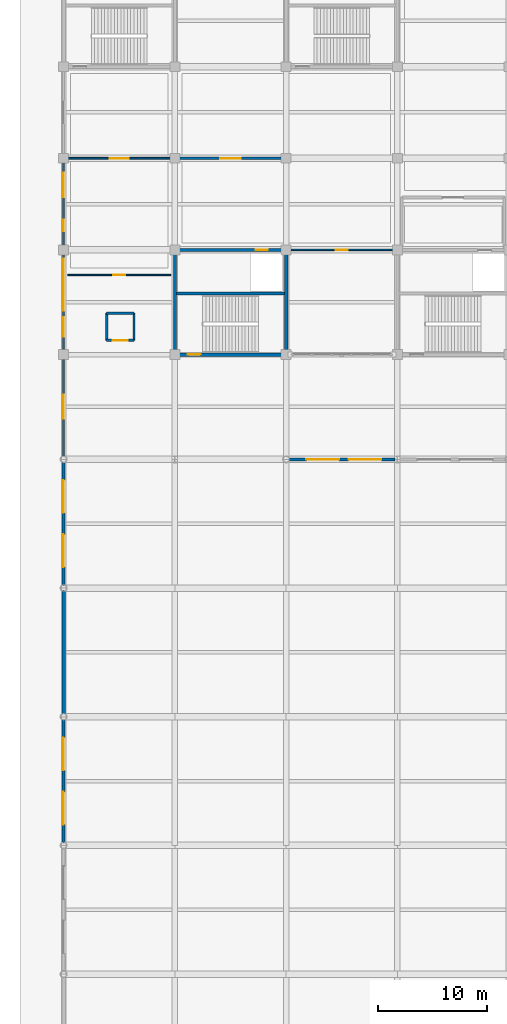
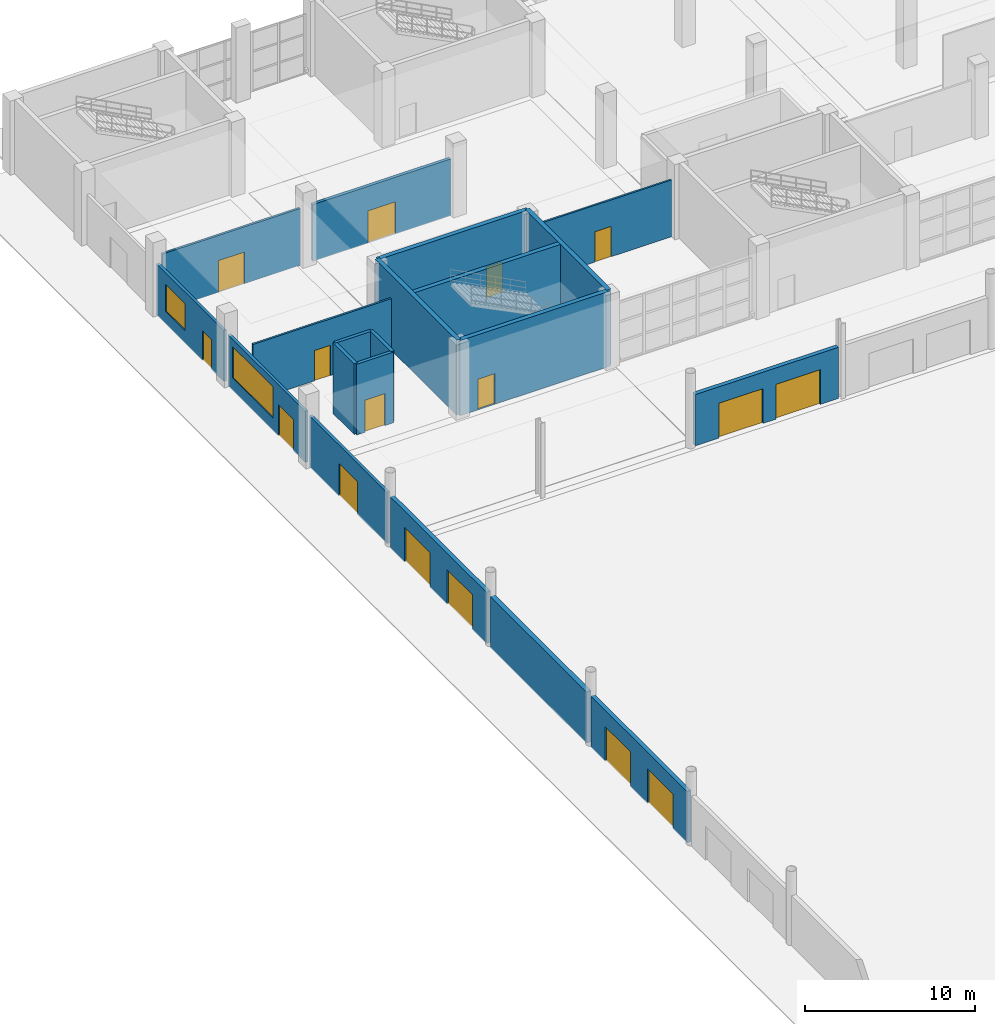
# One storey, part 88 of 124: 20 walls, 16 doors, 2 windows, 18 openings.
"""IFC4 building model written with IfcOpenShell, lengths in metres."""

from ifc_helpers import new_model, si_unit, direction, frame, frame_2d, origin, place, context, subcontext, project, spatial, rectangle, extrude, material, layer, layer_set, type_object, element, fill, save


model = new_model("IFC4")

# Units and contexts
model_context = context("Model", 3, precision=1e-05, world=origin(), true_north=direction((0.0, 1.0)))
body_context = subcontext(model_context, "Body", "Model", "MODEL_VIEW")
ifc_project = project(units=[si_unit("LENGTHUNIT", "METRE"), si_unit("AREAUNIT", "SQUARE_METRE"), si_unit("VOLUMEUNIT", "CUBIC_METRE"), si_unit("PLANEANGLEUNIT", "RADIAN"), si_unit("MASSUNIT", "GRAM", prefix="KILO")], contexts=[model_context])

# Site, building, storey
site_placement = place(None, origin())
site = spatial("IfcSite", under=ifc_project, at=site_placement, CompositionType="ELEMENT")
building_placement = place(site_placement, origin())
building = spatial("IfcBuilding", under=site, at=building_placement, Name="Brelvane Convention Centre", CompositionType="ELEMENT")
storey_placement = place(building_placement, origin())
storey = spatial("IfcBuildingStorey", under=building, at=storey_placement, Name="L00", CompositionType="ELEMENT", Elevation=0.0)

# Wall, openings, doors
ifc_material_1 = material(Name="Insulated Autoclaved Aerated Concrete Block Grade 1", Category="concrete")
ifc_layer_1 = layer(ifc_material_1, 0.280029296875)
ifc_layer_set_1 = layer_set([ifc_layer_1], Name="Insulated Autoclaved Aerated Concrete Block Grade 1")
wall_type_1 = type_object("IfcWallType", Name="Exterior Wall EW-01", PredefinedType="STANDARD", material=ifc_layer_set_1)
wall_1_placement = place(storey_placement, frame((0.0, 64.43994140625, 0.0), z_axis=(0.0, 0.0, 1.0), x_axis=(0.0, 1.0, 0.0)))
wall_1 = element("IfcWall", 1, at=wall_1_placement, inside=storey, type_object=wall_type_1, Name="Exterior Wall L00 V1W-L00-4", PredefinedType="STANDARD", context=body_context, shape_type="SweptSolid", body=[
    extrude(rectangle(XDim=11.320068359375, YDim=0.280029296875, at=frame_2d((5.66015625, 0.0))), origin(), (0.0, 0.0, 1.0), 3.679931640625),
])
opening_1_placement = place(wall_1_placement, frame((1.669921875, 0.0, 0.0)))
opening_1 = element("IfcOpeningElement", 2, at=opening_1_placement, cuts=wall_1, Name="Opening DR-EX-01", PredefinedType="OPENING", context=body_context, shape_type="SweptSolid", body=[
    extrude(rectangle(XDim=3.0, YDim=2.5, at=frame_2d((1.5, 1.25))), frame((0.0, 0.14990234375, 0.0), z_axis=(0.0, -1.0, 0.0), x_axis=(1.0, 0.0, 0.0)), (0.0, 0.0, 1.0), 0.300048828125),
])
opening_2_placement = place(wall_1_placement, frame((6.64990234375, 0.0, 0.0)))
opening_2 = element("IfcOpeningElement", 3, at=opening_2_placement, cuts=wall_1, Name="Opening DR-EX-01", PredefinedType="OPENING", context=body_context, shape_type="SweptSolid", body=[
    extrude(rectangle(XDim=3.0, YDim=2.5, at=frame_2d((1.5, 1.25))), frame((0.0, 0.14990234375, 0.0), z_axis=(0.0, -1.0, 0.0), x_axis=(1.0, 0.0, 0.0)), (0.0, 0.0, 1.0), 0.300048828125),
])
ifc_material_2 = material(Name="Anodised Aluminium Alloy 6063-T6", Category="aluminium")
door_type_1 = type_object("IfcDoorType", Name="Exterior Door DR-EX-01", OperationType="NOTDEFINED", PredefinedType="DOOR", material=ifc_material_2)
door_1_placement = place(opening_1_placement, origin())
door_1 = element("IfcDoor", 4, at=door_1_placement, inside=storey, type_object=door_type_1, Name="Final Exit Door EXH-W4A (DR-EX-01)", OperationType="DOUBLE_DOOR_SINGLE_SWING", OverallHeight=2.5, OverallWidth=3.0, PredefinedType="DOOR", context=body_context, shape_type="SweptSolid", body=[
    extrude(rectangle(XDim=3.0, YDim=2.5, at=frame_2d((1.5, 1.25))), frame((0.0, 0.02490234375, 0.0), z_axis=(0.0, -1.0, 0.0), x_axis=(1.0, 0.0, 0.0)), (0.0, 0.0, 1.0), 0.050048828125),
])
fill(opening_1, door_1)
door_2_placement = place(opening_2_placement, origin())
door_2 = element("IfcDoor", 5, at=door_2_placement, inside=storey, type_object=door_type_1, Name="Final Exit Door EXH-W4B (DR-EX-01)", OperationType="DOUBLE_DOOR_SINGLE_SWING", OverallHeight=2.5, OverallWidth=3.0, PredefinedType="DOOR", context=body_context, shape_type="SweptSolid", body=[
    extrude(rectangle(XDim=3.0, YDim=2.5, at=frame_2d((1.5, 1.25))), frame((0.0, 0.02490234375, 0.0), z_axis=(0.0, -1.0, 0.0), x_axis=(1.0, 0.0, 0.0)), (0.0, 0.0, 1.0), 0.050048828125),
])
fill(opening_2, door_2)

wall_2_placement = place(storey_placement, frame((0.0, 88.0400390625, 0.0), z_axis=(0.0, 0.0, 1.0), x_axis=(0.0, 1.0, 0.0)))
wall_2 = element("IfcWall", 6, at=wall_2_placement, inside=storey, type_object=wall_type_1, Name="Exterior Wall L00 V1W-L00-6", PredefinedType="STANDARD", context=body_context, shape_type="SweptSolid", body=[
    extrude(rectangle(XDim=11.320068359375, YDim=0.280029296875, at=frame_2d((5.66015625, 0.0))), origin(), (0.0, 0.0, 1.0), 3.679931640625),
])
opening_3_placement = place(wall_2_placement, frame((1.669921875, 0.0, 0.0)))
opening_3 = element("IfcOpeningElement", 7, at=opening_3_placement, cuts=wall_2, Name="Opening DR-EX-01", PredefinedType="OPENING", context=body_context, shape_type="SweptSolid", body=[
    extrude(rectangle(XDim=3.0, YDim=2.5, at=frame_2d((1.5, 1.25))), frame((0.0, 0.14990234375, 0.0), z_axis=(0.0, -1.0, 0.0), x_axis=(1.0, 0.0, 0.0)), (0.0, 0.0, 1.0), 0.300048828125),
])
opening_4_placement = place(wall_2_placement, frame((6.64990234375, 0.0, 0.0)))
opening_4 = element("IfcOpeningElement", 8, at=opening_4_placement, cuts=wall_2, Name="Opening DR-EX-01", PredefinedType="OPENING", context=body_context, shape_type="SweptSolid", body=[
    extrude(rectangle(XDim=3.0, YDim=2.5, at=frame_2d((1.5, 1.25))), frame((0.0, 0.14990234375, 0.0), z_axis=(0.0, -1.0, 0.0), x_axis=(1.0, 0.0, 0.0)), (0.0, 0.0, 1.0), 0.300048828125),
])
door_3_placement = place(opening_3_placement, origin())
door_3 = element("IfcDoor", 9, at=door_3_placement, inside=storey, type_object=door_type_1, Name="Final Exit Door EXH-W6A (DR-EX-01)", OperationType="DOUBLE_DOOR_SINGLE_SWING", OverallHeight=2.5, OverallWidth=3.0, PredefinedType="DOOR", context=body_context, shape_type="SweptSolid", body=[
    extrude(rectangle(XDim=3.0, YDim=2.5, at=frame_2d((1.5, 1.25))), frame((0.0, 0.02490234375, 0.0), z_axis=(0.0, -1.0, 0.0), x_axis=(1.0, 0.0, 0.0)), (0.0, 0.0, 1.0), 0.050048828125),
])
fill(opening_3, door_3)
door_4_placement = place(opening_4_placement, origin())
door_4 = element("IfcDoor", 10, at=door_4_placement, inside=storey, type_object=door_type_1, Name="Final Exit Door EXH-W6B (DR-EX-01)", OperationType="DOUBLE_DOOR_SINGLE_SWING", OverallHeight=2.5, OverallWidth=3.0, PredefinedType="DOOR", context=body_context, shape_type="SweptSolid", body=[
    extrude(rectangle(XDim=3.0, YDim=2.5, at=frame_2d((1.5, 1.25))), frame((0.0, 0.02490234375, 0.0), z_axis=(0.0, -1.0, 0.0), x_axis=(1.0, 0.0, 0.0)), (0.0, 0.0, 1.0), 0.050048828125),
])
fill(opening_4, door_4)

wall_3_placement = place(storey_placement, frame((20.639892578125, 99.60009765625, 0.0), z_axis=(0.0, 0.0, 1.0), x_axis=(1.0, 0.0, 0.0)))
wall_3 = element("IfcWall", 11, at=wall_3_placement, inside=storey, type_object=wall_type_1, Name="Exterior Wall L00 V1N-L00-03", PredefinedType="STANDARD", context=body_context, shape_type="SweptSolid", body=[
    extrude(rectangle(XDim=9.72021484375, YDim=0.280029296875, at=frame_2d((4.860107421875, 0.0))), origin(), (0.0, 0.0, 1.0), 3.679931640625),
])
opening_5_placement = place(wall_3_placement, frame((1.610107421875, 0.0, 0.0)))
opening_5 = element("IfcOpeningElement", 12, at=opening_5_placement, cuts=wall_3, Name="Opening DR-EX-01", PredefinedType="OPENING", context=body_context, shape_type="SweptSolid", body=[
    extrude(rectangle(XDim=3.0, YDim=2.5, at=frame_2d((1.5, 1.25))), frame((0.0, 0.14990234375, 0.0), z_axis=(0.0, -1.0, 0.0), x_axis=(1.0, 0.0, 0.0)), (0.0, 0.0, 1.0), 0.300048828125),
])
opening_6_placement = place(wall_3_placement, frame((5.498046875, 0.0, 0.0)))
opening_6 = element("IfcOpeningElement", 13, at=opening_6_placement, cuts=wall_3, Name="Opening DR-EX-01", PredefinedType="OPENING", context=body_context, shape_type="SweptSolid", body=[
    extrude(rectangle(XDim=3.0, YDim=2.5, at=frame_2d((1.5, 1.25))), frame((0.0, 0.14990234375, 0.0), z_axis=(0.0, -1.0, 0.0), x_axis=(1.0, 0.0, 0.0)), (0.0, 0.0, 1.0), 0.300048828125),
])
door_5_placement = place(opening_5_placement, origin())
door_5 = element("IfcDoor", 14, at=door_5_placement, inside=storey, type_object=door_type_1, Name="Final Exit Door EXH-N3A (DR-EX-01)", OperationType="DOUBLE_DOOR_SINGLE_SWING", OverallHeight=2.5, OverallWidth=3.0, PredefinedType="DOOR", context=body_context, shape_type="SweptSolid", body=[
    extrude(rectangle(XDim=3.0, YDim=2.5, at=frame_2d((1.5, 1.25))), frame((0.0, 0.02490234375, 0.0), z_axis=(0.0, -1.0, 0.0), x_axis=(1.0, 0.0, 0.0)), (0.0, 0.0, 1.0), 0.050048828125),
])
fill(opening_5, door_5)
door_6_placement = place(opening_6_placement, origin())
door_6 = element("IfcDoor", 15, at=door_6_placement, inside=storey, type_object=door_type_1, Name="Final Exit Door EXH-N3B (DR-EX-01)", OperationType="DOUBLE_DOOR_SINGLE_SWING", OverallHeight=2.5, OverallWidth=3.0, PredefinedType="DOOR", context=body_context, shape_type="SweptSolid", body=[
    extrude(rectangle(XDim=3.0, YDim=2.5, at=frame_2d((1.5, 1.25))), frame((0.0, 0.02490234375, 0.0), z_axis=(0.0, -1.0, 0.0), x_axis=(1.0, 0.0, 0.0)), (0.0, 0.0, 1.0), 0.050048828125),
])
fill(opening_6, door_6)

# Wall, opening, door
ifc_material_3 = material(Name="Insulated Autoclaved Aerated Concrete Block Grade 1", Category="concrete")
ifc_layer_2 = layer(ifc_material_3, 0.18994140625)
ifc_layer_set_2 = layer_set([ifc_layer_2], Name="Insulated Autoclaved Aerated Concrete Block Grade 1")
wall_type_2 = type_object("IfcWallType", Name="Exterior Wall EW-06", PredefinedType="STANDARD", material=ifc_layer_set_2)
wall_4_placement = place(storey_placement, frame((0.0, 99.840087890625, 0.0), z_axis=(0.0, 0.0, 1.0), x_axis=(0.0, 1.0, 0.0)))
wall_4 = element("IfcWall", 16, at=wall_4_placement, inside=storey, type_object=wall_type_2, Name="Exterior Wall L00 V4W-L00-99", PredefinedType="STANDARD", context=body_context, shape_type="SweptSolid", body=[
    extrude(rectangle(XDim=9.119873046875, YDim=0.18994140625, at=frame_2d((4.56005859375, 0.0))), origin(), (0.0, 0.0, 1.0), 3.679931640625),
])
opening_7_placement = place(wall_4_placement, frame((3.4599609375, 0.0, 0.0)))
opening_7 = element("IfcOpeningElement", 17, at=opening_7_placement, cuts=wall_4, Name="Opening DR-EX-05", PredefinedType="OPENING", context=body_context, shape_type="SweptSolid", body=[
    extrude(rectangle(XDim=2.199951171875, YDim=2.35009765625, at=frame_2d((1.10009765625, 1.175048828125))), frame((0.0, 0.10498046875, 0.0), z_axis=(0.0, -1.0, 0.0), x_axis=(1.0, 0.0, 0.0)), (0.0, 0.0, 1.0), 0.2099609375),
])
ifc_material_4 = material(Name="Anodised Aluminium Alloy 6063-T6", Category="aluminium")
door_type_2 = type_object("IfcDoorType", Name="Exterior Door DR-EX-05", OperationType="NOTDEFINED", PredefinedType="DOOR", material=ifc_material_4)
door_7_placement = place(opening_7_placement, origin())
door_7 = element("IfcDoor", 18, at=door_7_placement, inside=storey, type_object=door_type_2, Name="Final Exit Door MEET-W-EX3 (DR-EX-05)", OperationType="DOUBLE_DOOR_SINGLE_SWING", OverallHeight=2.35009765625, OverallWidth=2.199951171875, PredefinedType="DOOR", context=body_context, shape_type="SweptSolid", body=[
    extrude(rectangle(XDim=2.199951171875, YDim=2.35009765625, at=frame_2d((1.10009765625, 1.175048828125))), frame((0.0, 0.02490234375, 0.0), z_axis=(0.0, -1.0, 0.0), x_axis=(1.0, 0.0, 0.0)), (0.0, 0.0, 1.0), 0.050048828125),
])
fill(opening_7, door_7)

# Wall, openings, door, window
wall_5_placement = place(storey_placement, frame((0.0, 109.43994140625, 0.0), z_axis=(0.0, 0.0, 1.0), x_axis=(0.0, 1.0, 0.0)))
wall_5 = element("IfcWall", 19, at=wall_5_placement, inside=storey, type_object=wall_type_2, Name="Exterior Wall L00 V4W-L00-109", PredefinedType="STANDARD", context=body_context, shape_type="SweptSolid", body=[
    extrude(rectangle(XDim=9.1201171875, YDim=0.18994140625, at=frame_2d((4.56005859375, 0.0))), origin(), (0.0, 0.0, 1.0), 3.679931640625),
])
opening_8_placement = place(wall_5_placement, frame((1.3798828125, 0.0, 0.0)))
opening_8 = element("IfcOpeningElement", 20, at=opening_8_placement, cuts=wall_5, Name="Opening DR-EX-07", PredefinedType="OPENING", context=body_context, shape_type="SweptSolid", body=[
    extrude(rectangle(XDim=1.800048828125, YDim=2.25, at=frame_2d((0.89990234375, 1.125))), frame((0.0, 0.10498046875, 0.0), z_axis=(0.0, -1.0, 0.0), x_axis=(1.0, 0.0, 0.0)), (0.0, 0.0, 1.0), 0.2099609375),
])
opening_9_placement = place(wall_5_placement, frame((3.77001953125, 0.0, 0.89990234375)))
opening_9 = element("IfcOpeningElement", 21, at=opening_9_placement, cuts=wall_5, Name="Opening WN-10", PredefinedType="OPENING", context=body_context, shape_type="SweptSolid", body=[
    extrude(rectangle(XDim=4.800048828125, YDim=2.25, at=frame_2d((2.39990234375, 1.125))), frame((0.0, 0.10498046875, 0.0), z_axis=(0.0, -1.0, 0.0), x_axis=(1.0, 0.0, 0.0)), (0.0, 0.0, 1.0), 0.2099609375),
])
ifc_material_5 = material(Name="Anodised Aluminium Alloy 6063-T6", Category="aluminium")
door_type_3 = type_object("IfcDoorType", Name="Exterior Door DR-EX-07", OperationType="NOTDEFINED", PredefinedType="DOOR", material=ifc_material_5)
door_8_placement = place(opening_8_placement, origin())
door_8 = element("IfcDoor", 22, at=door_8_placement, inside=storey, type_object=door_type_3, Name="Final Exit Door MEET-W-EX1 (DR-EX-07)", OperationType="DOUBLE_DOOR_SINGLE_SWING", OverallHeight=2.25, OverallWidth=1.800048828125, PredefinedType="DOOR", context=body_context, shape_type="SweptSolid", body=[
    extrude(rectangle(XDim=1.800048828125, YDim=2.25, at=frame_2d((0.89990234375, 1.125))), frame((0.0, 0.02490234375, 0.0), z_axis=(0.0, -1.0, 0.0), x_axis=(1.0, 0.0, 0.0)), (0.0, 0.0, 1.0), 0.050048828125),
])
fill(opening_8, door_8)
ifc_material_6 = material(Name="Double Glazed Low-E Laminated Unit")
window_type_1 = type_object("IfcWindowType", Name="Window WN-10", PartitioningType="TRIPLE_PANEL_VERTICAL", PredefinedType="WINDOW", material=ifc_material_6)
window_1_placement = place(opening_9_placement, origin())
window_1 = element("IfcWindow", 23, at=window_1_placement, inside=storey, type_object=window_type_1, Name="Facade Window L00-V4W-L00-109-066", OverallHeight=2.25, OverallWidth=4.800048828125, PartitioningType="TRIPLE_PANEL_VERTICAL", PredefinedType="WINDOW", context=body_context, shape_type="SweptSolid", body=[
    extrude(rectangle(XDim=4.800048828125, YDim=2.25, at=frame_2d((2.39990234375, 1.125))), frame((0.0, 0.030029296875, 0.0), z_axis=(0.0, -1.0, 0.0), x_axis=(1.0, 0.0, 0.0)), (0.0, 0.0, 1.0), 0.06005859375),
])
fill(opening_9, window_1)

wall_6_placement = place(storey_placement, frame((0.0, 119.0400390625, 0.0), z_axis=(0.0, 0.0, 1.0), x_axis=(0.0, 1.0, 0.0)))
wall_6 = element("IfcWall", 24, at=wall_6_placement, inside=storey, type_object=wall_type_2, Name="Exterior Wall L00 V4W-L00-118", PredefinedType="STANDARD", context=body_context, shape_type="SweptSolid", body=[
    extrude(rectangle(XDim=7.919921875, YDim=0.18994140625, at=frame_2d((3.9599609375, 0.0))), origin(), (0.0, 0.0, 1.0), 3.679931640625),
])
opening_10_placement = place(wall_6_placement, frame((1.455078125, 0.0, 0.0)))
opening_10 = element("IfcOpeningElement", 25, at=opening_10_placement, cuts=wall_6, Name="Opening DR-EX-10", PredefinedType="OPENING", context=body_context, shape_type="SweptSolid", body=[
    extrude(rectangle(XDim=1.050048828125, YDim=2.14990234375, at=frame_2d((0.52490234375, 1.074951171875))), frame((0.0, 0.10498046875, 0.0), z_axis=(0.0, -1.0, 0.0), x_axis=(1.0, 0.0, 0.0)), (0.0, 0.0, 1.0), 0.2099609375),
])
opening_11_placement = place(wall_6_placement, frame((4.576904296875, 0.0, 0.89990234375)))
opening_11 = element("IfcOpeningElement", 26, at=opening_11_placement, cuts=wall_6, Name="Opening WN-11", PredefinedType="OPENING", context=body_context, shape_type="SweptSolid", body=[
    extrude(rectangle(XDim=2.25, YDim=1.949951171875, at=frame_2d((1.125, 0.97509765625))), frame((0.0, 0.10498046875, 0.0), z_axis=(0.0, -1.0, 0.0), x_axis=(1.0, 0.0, 0.0)), (0.0, 0.0, 1.0), 0.2099609375),
])
ifc_material_7 = material(Name="Anodised Aluminium Alloy 6063-T6", Category="aluminium")
door_type_4 = type_object("IfcDoorType", Name="Exterior Door DR-EX-10", OperationType="NOTDEFINED", PredefinedType="DOOR", material=ifc_material_7)
door_9_placement = place(opening_10_placement, origin())
door_9 = element("IfcDoor", 27, at=door_9_placement, inside=storey, type_object=door_type_4, Name="Final Exit Door MEET-W-EX2 (DR-EX-10)", OperationType="SINGLE_SWING_LEFT", OverallHeight=2.14990234375, OverallWidth=1.050048828125, PredefinedType="DOOR", context=body_context, shape_type="SweptSolid", body=[
    extrude(rectangle(XDim=1.050048828125, YDim=2.14990234375, at=frame_2d((0.52490234375, 1.074951171875))), frame((0.0, 0.02490234375, 0.0), z_axis=(0.0, -1.0, 0.0), x_axis=(1.0, 0.0, 0.0)), (0.0, 0.0, 1.0), 0.050048828125),
])
fill(opening_10, door_9)
ifc_material_8 = material(Name="Double Glazed Low-E Laminated Unit")
window_type_2 = type_object("IfcWindowType", Name="Window WN-11", PartitioningType="DOUBLE_PANEL_VERTICAL", PredefinedType="WINDOW", material=ifc_material_8)
window_2_placement = place(opening_11_placement, origin())
window_2 = element("IfcWindow", 28, at=window_2_placement, inside=storey, type_object=window_type_2, Name="Facade Window L00-V4W-L00-118-067", OverallHeight=1.949951171875, OverallWidth=2.25, PartitioningType="DOUBLE_PANEL_VERTICAL", PredefinedType="WINDOW", context=body_context, shape_type="SweptSolid", body=[
    extrude(rectangle(XDim=2.25, YDim=1.949951171875, at=frame_2d((1.125, 0.97509765625))), frame((0.0, 0.030029296875, 0.0), z_axis=(0.0, -1.0, 0.0), x_axis=(1.0, 0.0, 0.0)), (0.0, 0.0, 1.0), 0.06005859375),
])
fill(opening_11, window_2)

# Wall
ifc_material_9 = material(Name="Concrete M40", Category="concrete")
ifc_layer_3 = layer(ifc_material_9, 0.320068359375)
ifc_layer_set_3 = layer_set([ifc_layer_3], Name="Concrete M40")
wall_type_3 = type_object("IfcWallType", Name="Exterior Wall EW-07", PredefinedType="SOLIDWALL", material=ifc_layer_set_3)
wall_7_placement = place(storey_placement, frame((0.0, 76.239990234375, 0.0), z_axis=(0.0, 0.0, 1.0), x_axis=(0.0, 1.0, 0.0)))
element("IfcWall", 29, at=wall_7_placement, inside=storey, type_object=wall_type_3, Name="Exterior Wall L00 V1W-L00-5", PredefinedType="SOLIDWALL", context=body_context, shape_type="SweptSolid", body=[
    extrude(rectangle(XDim=11.320068359375, YDim=0.320068359375, at=frame_2d((5.66015625, 0.0))), origin(), (0.0, 0.0, 1.0), 3.679931640625),
])

# Wall, opening, door
ifc_material_10 = material(Name="Concrete M40", Category="concrete")
ifc_layer_4 = layer(ifc_material_10, 0.219970703125)
ifc_layer_set_4 = layer_set([ifc_layer_4], Name="Concrete M40")
wall_type_4 = type_object("IfcWallType", Name="Interior Wall IW-FR-220", PredefinedType="PARTITIONING", material=ifc_layer_set_4)
wall_8_placement = place(storey_placement, frame((3.949951171875, 110.5, 0.0), z_axis=(0.0, 0.0, 1.0), x_axis=(1.0, 0.0, 0.0)))
wall_8 = element("IfcWall", 30, at=wall_8_placement, inside=storey, type_object=wall_type_4, Name="Lift LP-06 Shaft Wall S (L00)", PredefinedType="PARTITIONING", context=body_context, shape_type="SweptSolid", body=[
    extrude(rectangle(XDim=2.5, YDim=0.219970703125, at=frame_2d((1.25, 0.0))), origin(), (0.0, 0.0, 1.0), 5.080078125),
])
opening_12_placement = place(wall_8_placement, frame((0.574951171875, 0.0, 0.0)))
opening_12 = element("IfcOpeningElement", 31, at=opening_12_placement, cuts=wall_8, Name="Opening LD-03", PredefinedType="OPENING", context=body_context, shape_type="SweptSolid", body=[
    extrude(rectangle(XDim=1.35009765625, YDim=2.300048828125, at=frame_2d((0.675048828125, 1.14990234375))), frame((0.0, 0.119873046875, 0.0), z_axis=(0.0, -1.0, 0.0), x_axis=(1.0, 0.0, 0.0)), (0.0, 0.0, 1.0), 0.239990234375),
])
ifc_material_11 = material(Name="Galvanised Hollow-Metal Fire Door Steel E250", Category="steel")
door_type_5 = type_object("IfcDoorType", Name="Interior Door LD-03", OperationType="NOTDEFINED", PredefinedType="DOOR", material=ifc_material_11)
door_10_placement = place(opening_12_placement, origin())
door_10 = element("IfcDoor", 32, at=door_10_placement, inside=storey, type_object=door_type_5, Name="Lift LP-06 Landing Door (L00)", OperationType="DOUBLE_DOOR_SLIDING", OverallHeight=2.300048828125, OverallWidth=1.35009765625, PredefinedType="DOOR", context=body_context, shape_type="SweptSolid", body=[
    extrude(rectangle(XDim=1.35009765625, YDim=2.300048828125, at=frame_2d((0.675048828125, 1.14990234375))), frame((0.0, 0.02490234375, 0.0), z_axis=(0.0, -1.0, 0.0), x_axis=(1.0, 0.0, 0.0)), (0.0, 0.0, 1.0), 0.050048828125),
])
fill(opening_12, door_10)

# Walls
for number, where, z_axis, x_axis, name in (
    (33, (3.949951171875, 113.0, 0.0), (0.0, 0.0, 1.0), (1.0, 0.0, 0.0), "Lift LP-06 Shaft Wall N (L00)"),
    (34, (3.949951171875, 110.5, 0.0), (0.0, 0.0, 1.0), (0.0, 1.0, 0.0), "Lift LP-06 Shaft Wall W (L00)"),
    (35, (6.449951171875, 110.5, 0.0), (0.0, 0.0, 1.0), (0.0, 1.0, 0.0), "Lift LP-06 Shaft Wall E (L00)"),
):
    element("IfcWall", number, at=place(storey_placement, frame(where, z_axis=z_axis, x_axis=x_axis)), inside=storey, type_object=wall_type_4, Name=name, PredefinedType="PARTITIONING", context=body_context, shape_type="SweptSolid", body=[
        extrude(rectangle(XDim=2.5, YDim=0.219970703125, at=frame_2d((1.25, 0.0))), origin(), (0.0, 0.0, 1.0), 5.080078125),
    ])

# Wall, opening, door
ifc_material_12 = material(Name="Acoustic Operable Gypsum Composite Panel Board Class A")
ifc_layer_5 = layer(ifc_material_12, 0.14990234375)
ifc_layer_set_5 = layer_set([ifc_layer_5], Name="Acoustic Operable Gypsum Composite Panel Board Class A")
wall_type_5 = type_object("IfcWallType", Name="Interior Wall IW-OP-150", PredefinedType="MOVABLE", material=ifc_layer_set_5)
wall_9_placement = place(storey_placement, frame((0.39990234375, 127.199951171875, 0.0), z_axis=(0.0, 0.0, 1.0), x_axis=(1.0, 0.0, 0.0)))
wall_9 = element("IfcWall", 36, at=wall_9_placement, inside=storey, type_object=wall_type_5, Name="Operable Wall L00-MEET-OP1", PredefinedType="MOVABLE", context=body_context, shape_type="SweptSolid", body=[
    extrude(rectangle(XDim=9.400146484375, YDim=0.14990234375, at=frame_2d((4.7001953125, 0.0))), origin(), (0.0, 0.0, 1.0), 4.080078125),
])
opening_13_placement = place(wall_9_placement, frame((3.824951171875, 0.0, 0.0)))
opening_13 = element("IfcOpeningElement", 37, at=opening_13_placement, cuts=wall_9, Name="Opening DR-IN-18", PredefinedType="OPENING", context=body_context, shape_type="SweptSolid", body=[
    extrude(rectangle(XDim=1.75, YDim=2.280029296875, at=frame_2d((0.875, 1.14013671875))), frame((0.0, 0.0849609375, 0.0), z_axis=(0.0, -1.0, 0.0), x_axis=(1.0, 0.0, 0.0)), (0.0, 0.0, 1.0), 0.169921875),
])
ifc_material_13 = material(Name="Solid-Core Fire-Rated Hardwood Leaf Grade 1", Category="wood")
door_type_6 = type_object("IfcDoorType", Name="Interior Door DR-IN-18", OperationType="NOTDEFINED", PredefinedType="DOOR", material=ifc_material_13)
door_11_placement = place(opening_13_placement, origin())
door_11 = element("IfcDoor", 38, at=door_11_placement, inside=storey, type_object=door_type_6, Name="Interior Door L00-MEET-OP1 (DR-IN-18)", OperationType="DOUBLE_DOOR_SINGLE_SWING", OverallHeight=2.280029296875, OverallWidth=1.75, PredefinedType="DOOR", context=body_context, shape_type="SweptSolid", body=[
    extrude(rectangle(XDim=1.75, YDim=2.280029296875, at=frame_2d((0.875, 1.14013671875))), frame((0.0, 0.02490234375, 0.0), z_axis=(0.0, -1.0, 0.0), x_axis=(1.0, 0.0, 0.0)), (0.0, 0.0, 1.0), 0.050048828125),
])
fill(opening_13, door_11)

ifc_material_14 = material(Name="Acoustic Operable Gypsum Composite Panel Board Class A")
ifc_layer_6 = layer(ifc_material_14, 0.2099609375)
ifc_layer_set_6 = layer_set([ifc_layer_6], Name="Acoustic Operable Gypsum Composite Panel Board Class A")
wall_type_6 = type_object("IfcWallType", Name="Interior Wall IW-OP-210", PredefinedType="MOVABLE", material=ifc_layer_set_6)
wall_10_placement = place(storey_placement, frame((10.60009765625, 127.199951171875, 0.0), z_axis=(0.0, 0.0, 1.0), x_axis=(1.0, 0.0, 0.0)))
wall_10 = element("IfcWall", 39, at=wall_10_placement, inside=storey, type_object=wall_type_6, Name="Operable Wall L00-MEET-OP2", PredefinedType="MOVABLE", context=body_context, shape_type="SweptSolid", body=[
    extrude(rectangle(XDim=9.39990234375, YDim=0.2099609375, at=frame_2d((4.699951171875, 0.0))), origin(), (0.0, 0.0, 1.0), 4.080078125),
])
opening_14_placement = place(wall_10_placement, frame((3.77490234375, 0.0, 0.0)))
opening_14 = element("IfcOpeningElement", 40, at=opening_14_placement, cuts=wall_10, Name="Opening DR-IN-19", PredefinedType="OPENING", context=body_context, shape_type="SweptSolid", body=[
    extrude(rectangle(XDim=1.85009765625, YDim=2.320068359375, at=frame_2d((0.925048828125, 1.16015625))), frame((0.0, 0.114990234375, 0.0), z_axis=(0.0, -1.0, 0.0), x_axis=(1.0, 0.0, 0.0)), (0.0, 0.0, 1.0), 0.22998046875),
])
ifc_material_15 = material(Name="Solid-Core Fire-Rated Hardwood Leaf Grade 1", Category="wood")
door_type_7 = type_object("IfcDoorType", Name="Interior Door DR-IN-19", OperationType="NOTDEFINED", PredefinedType="DOOR", material=ifc_material_15)
door_12_placement = place(opening_14_placement, origin())
door_12 = element("IfcDoor", 41, at=door_12_placement, inside=storey, type_object=door_type_7, Name="Interior Door L00-MEET-OP2 (DR-IN-19)", OperationType="DOUBLE_DOOR_SINGLE_SWING", OverallHeight=2.320068359375, OverallWidth=1.85009765625, PredefinedType="DOOR", context=body_context, shape_type="SweptSolid", body=[
    extrude(rectangle(XDim=1.85009765625, YDim=2.320068359375, at=frame_2d((0.925048828125, 1.16015625))), frame((0.0, 0.02490234375, 0.0), z_axis=(0.0, -1.0, 0.0), x_axis=(1.0, 0.0, 0.0)), (0.0, 0.0, 1.0), 0.050048828125),
])
fill(opening_14, door_12)

ifc_material_16 = material(Name="Fire-Rated Acoustic Gypsum Partition Board Grade A")
ifc_layer_7 = layer(ifc_material_16, 0.125)
ifc_layer_set_7 = layer_set([ifc_layer_7], Name="Fire-Rated Acoustic Gypsum Partition Board Grade A")
wall_type_7 = type_object("IfcWallType", Name="Interior Wall IW-PT-125", PredefinedType="PARTITIONING", material=ifc_layer_set_7)
wall_11_placement = place(storey_placement, frame((20.800048828125, 118.800048828125, 0.0), z_axis=(0.0, 0.0, 1.0), x_axis=(1.0, 0.0, 0.0)))
wall_11 = element("IfcWall", 42, at=wall_11_placement, inside=storey, type_object=wall_type_7, Name="Interior Partition L00-MT102", PredefinedType="PARTITIONING", context=body_context, shape_type="SweptSolid", body=[
    extrude(rectangle(XDim=9.39990234375, YDim=0.125, at=frame_2d((4.699951171875, 0.0))), origin(), (0.0, 0.0, 1.0), 4.080078125),
])
opening_15_placement = place(wall_11_placement, frame((4.139892578125, 0.0, 0.0)))
opening_15 = element("IfcOpeningElement", 43, at=opening_15_placement, cuts=wall_11, Name="Opening DR-IN-13R", PredefinedType="OPENING", context=body_context, shape_type="SweptSolid", body=[
    extrude(rectangle(XDim=1.1201171875, YDim=2.179931640625, at=frame_2d((0.56005859375, 1.08984375))), frame((0.0, 0.072509765625, 0.0), z_axis=(0.0, -1.0, 0.0), x_axis=(1.0, 0.0, 0.0)), (0.0, 0.0, 1.0), 0.14501953125),
])
ifc_material_17 = material(Name="Solid-Core Fire-Rated Hardwood Leaf Grade 1", Category="wood")
door_type_8 = type_object("IfcDoorType", Name="Interior Door DR-IN-13R", OperationType="NOTDEFINED", PredefinedType="DOOR", material=ifc_material_17)
door_13_placement = place(opening_15_placement, origin())
door_13 = element("IfcDoor", 44, at=door_13_placement, inside=storey, type_object=door_type_8, Name="Interior Door L00-MT102 (DR-IN-13R)", OperationType="SINGLE_SWING_RIGHT", OverallHeight=2.179931640625, OverallWidth=1.1201171875, PredefinedType="DOOR", context=body_context, shape_type="SweptSolid", body=[
    extrude(rectangle(XDim=1.1201171875, YDim=2.179931640625, at=frame_2d((0.56005859375, 1.08984375))), frame((0.0, 0.02490234375, 0.0), z_axis=(0.0, -1.0, 0.0), x_axis=(1.0, 0.0, 0.0)), (0.0, 0.0, 1.0), 0.050048828125),
])
fill(opening_15, door_13)

ifc_material_18 = material(Name="Fire-Rated Acoustic Gypsum Partition Board Grade A")
ifc_layer_8 = layer(ifc_material_18, 0.135009765625)
ifc_layer_set_8 = layer_set([ifc_layer_8], Name="Fire-Rated Acoustic Gypsum Partition Board Grade A")
wall_type_8 = type_object("IfcWallType", Name="Interior Wall IW-PT-135", PredefinedType="PARTITIONING", material=ifc_layer_set_8)
wall_12_placement = place(storey_placement, frame((0.39990234375, 116.5, 0.0), z_axis=(0.0, 0.0, 1.0), x_axis=(1.0, 0.0, 0.0)))
wall_12 = element("IfcWall", 45, at=wall_12_placement, inside=storey, type_object=wall_type_8, Name="Interior Partition L00-MT101", PredefinedType="PARTITIONING", context=body_context, shape_type="SweptSolid", body=[
    extrude(rectangle(XDim=9.400146484375, YDim=0.135009765625, at=frame_2d((4.7001953125, 0.0))), origin(), (0.0, 0.0, 1.0), 4.080078125),
])
opening_16_placement = place(wall_12_placement, frame((4.159912109375, 0.0, 0.0)))
opening_16 = element("IfcOpeningElement", 46, at=opening_16_placement, cuts=wall_12, Name="Opening DR-IN-13L", PredefinedType="OPENING", context=body_context, shape_type="SweptSolid", body=[
    extrude(rectangle(XDim=1.080078125, YDim=2.179931640625, at=frame_2d((0.5400390625, 1.08984375))), frame((0.0, 0.077392578125, 0.0), z_axis=(0.0, -1.0, 0.0), x_axis=(1.0, 0.0, 0.0)), (0.0, 0.0, 1.0), 0.155029296875),
])
ifc_material_19 = material(Name="Solid-Core Fire-Rated Hardwood Leaf Grade 1", Category="wood")
door_type_9 = type_object("IfcDoorType", Name="Interior Door DR-IN-13L", OperationType="NOTDEFINED", PredefinedType="DOOR", material=ifc_material_19)
door_14_placement = place(opening_16_placement, origin())
door_14 = element("IfcDoor", 47, at=door_14_placement, inside=storey, type_object=door_type_9, Name="Interior Door L00-MT101 (DR-IN-13L)", OperationType="SINGLE_SWING_LEFT", OverallHeight=2.179931640625, OverallWidth=1.080078125, PredefinedType="DOOR", context=body_context, shape_type="SweptSolid", body=[
    extrude(rectangle(XDim=1.080078125, YDim=2.179931640625, at=frame_2d((0.5400390625, 1.08984375))), frame((0.0, 0.02490234375, 0.0), z_axis=(0.0, -1.0, 0.0), x_axis=(1.0, 0.0, 0.0)), (0.0, 0.0, 1.0), 0.050048828125),
])
fill(opening_16, door_14)

ifc_material_20 = material(Name="Concrete M50", Category="concrete")
ifc_layer_9 = layer(ifc_material_20, 0.300048828125)
ifc_layer_set_9 = layer_set([ifc_layer_9], Name="Concrete M50")
wall_type_9 = type_object("IfcWallType", Name="Structural Wall WL-CORE-300", PredefinedType="SHEAR", material=ifc_layer_set_9)
wall_13_placement = place(storey_placement, frame((10.199951171875, 109.199951171875, 0.0), z_axis=(0.0, 0.0, 1.0), x_axis=(1.0, 0.0, 0.0)))
wall_13 = element("IfcWall", 48, at=wall_13_placement, inside=storey, type_object=wall_type_9, Name="Core C6 Shear Wall S (L00)", PredefinedType="SHEAR", context=body_context, shape_type="SweptSolid", body=[
    extrude(rectangle(XDim=10.199951171875, YDim=0.300048828125, at=frame_2d((5.10009765625, 0.0))), origin(), (0.0, 0.0, 1.0), 5.39990234375),
])
opening_17_placement = place(wall_13_placement, frame((1.199951171875, 0.0, 0.0)))
opening_17 = element("IfcOpeningElement", 49, at=opening_17_placement, cuts=wall_13, Name="Opening DR-IN-04L", PredefinedType="OPENING", context=body_context, shape_type="SweptSolid", body=[
    extrude(rectangle(XDim=1.159912109375, YDim=2.199951171875, at=frame_2d((0.580078125, 1.10009765625))), frame((0.0, 0.159912109375, 0.0), z_axis=(0.0, -1.0, 0.0), x_axis=(1.0, 0.0, 0.0)), (0.0, 0.0, 1.0), 0.320068359375),
])
ifc_material_21 = material(Name="Galvanised Hollow-Metal Fire Door Steel E250", Category="steel")
door_type_10 = type_object("IfcDoorType", Name="Interior Door DR-IN-04L", OperationType="NOTDEFINED", PredefinedType="DOOR", material=ifc_material_21)
door_15_placement = place(opening_17_placement, frame((1.159912109375, 0.0, 0.0), z_axis=(0.0, 0.0, 1.0), x_axis=(-1.0, 0.0, 0.0)))
door_15 = element("IfcDoor", 50, at=door_15_placement, inside=storey, type_object=door_type_10, Name="Stair ST-06 Final Exit Door (L00)", OperationType="SINGLE_SWING_LEFT", OverallHeight=2.199951171875, OverallWidth=1.159912109375, PredefinedType="DOOR", context=body_context, shape_type="SweptSolid", body=[
    extrude(rectangle(XDim=1.159912109375, YDim=2.199951171875, at=frame_2d((0.580078125, 1.10009765625))), frame((0.0, 0.02490234375, 0.0), z_axis=(0.0, -1.0, 0.0), x_axis=(1.0, 0.0, 0.0)), (0.0, 0.0, 1.0), 0.050048828125),
])
fill(opening_17, door_15)

wall_14_placement = place(storey_placement, frame((10.199951171875, 118.800048828125, 0.0), z_axis=(0.0, 0.0, 1.0), x_axis=(1.0, 0.0, 0.0)))
wall_14 = element("IfcWall", 51, at=wall_14_placement, inside=storey, type_object=wall_type_9, Name="Core C6 Shear Wall N (L00)", PredefinedType="SHEAR", context=body_context, shape_type="SweptSolid", body=[
    extrude(rectangle(XDim=10.199951171875, YDim=0.300048828125, at=frame_2d((5.10009765625, 0.0))), origin(), (0.0, 0.0, 1.0), 5.39990234375),
])
opening_18_placement = place(wall_14_placement, frame((7.39990234375, 0.0, 0.0)))
opening_18 = element("IfcOpeningElement", 52, at=opening_18_placement, cuts=wall_14, Name="Opening LD-02", PredefinedType="OPENING", context=body_context, shape_type="SweptSolid", body=[
    extrude(rectangle(XDim=1.10009765625, YDim=2.199951171875, at=frame_2d((0.550048828125, 1.10009765625))), frame((0.0, 0.159912109375, 0.0), z_axis=(0.0, -1.0, 0.0), x_axis=(1.0, 0.0, 0.0)), (0.0, 0.0, 1.0), 0.320068359375),
])
ifc_material_22 = material(Name="Galvanised Hollow-Metal Fire Door Steel E250", Category="steel")
door_type_11 = type_object("IfcDoorType", Name="Interior Door LD-02", OperationType="NOTDEFINED", PredefinedType="DOOR", material=ifc_material_22)
door_16_placement = place(opening_18_placement, origin())
door_16 = element("IfcDoor", 53, at=door_16_placement, inside=storey, type_object=door_type_11, Name="Lift LP-03 Landing Door (L00)", OperationType="SLIDING_TO_RIGHT", OverallHeight=2.199951171875, OverallWidth=1.10009765625, PredefinedType="DOOR", context=body_context, shape_type="SweptSolid", body=[
    extrude(rectangle(XDim=1.10009765625, YDim=2.199951171875, at=frame_2d((0.550048828125, 1.10009765625))), frame((0.0, 0.02490234375, 0.0), z_axis=(0.0, -1.0, 0.0), x_axis=(1.0, 0.0, 0.0)), (0.0, 0.0, 1.0), 0.050048828125),
])
fill(opening_18, door_16)

# Walls
for number, where, z_axis, x_axis, name in (
    (54, (10.199951171875, 109.199951171875, 0.0), (0.0, 0.0, 1.0), (0.0, 1.0, 0.0), "Core C6 Shear Wall W (L00)"),
    (55, (20.39990234375, 109.199951171875, 0.0), (0.0, 0.0, 1.0), (0.0, 1.0, 0.0), "Core C6 Shear Wall E (L00)"),
):
    element("IfcWall", number, at=place(storey_placement, frame(where, z_axis=z_axis, x_axis=x_axis)), inside=storey, type_object=wall_type_9, Name=name, PredefinedType="SHEAR", context=body_context, shape_type="SweptSolid", body=[
        extrude(rectangle(XDim=9.60009765625, YDim=0.300048828125, at=frame_2d((4.800048828125, 0.0))), origin(), (0.0, 0.0, 1.0), 5.39990234375),
    ])
wall_15_placement = place(storey_placement, frame((10.35009765625, 114.800048828125, 0.0), z_axis=(0.0, 0.0, 1.0), x_axis=(1.0, 0.0, 0.0)))
element("IfcWall", 56, at=wall_15_placement, inside=storey, type_object=wall_type_9, Name="Core C6 Shaft Divider Wall (L00)", PredefinedType="SHEAR", context=body_context, shape_type="SweptSolid", body=[
    extrude(rectangle(XDim=9.89990234375, YDim=0.300048828125, at=frame_2d((4.949951171875, 0.0))), origin(), (0.0, 0.0, 1.0), 5.39990234375),
])

save(model, "model.ifc")
